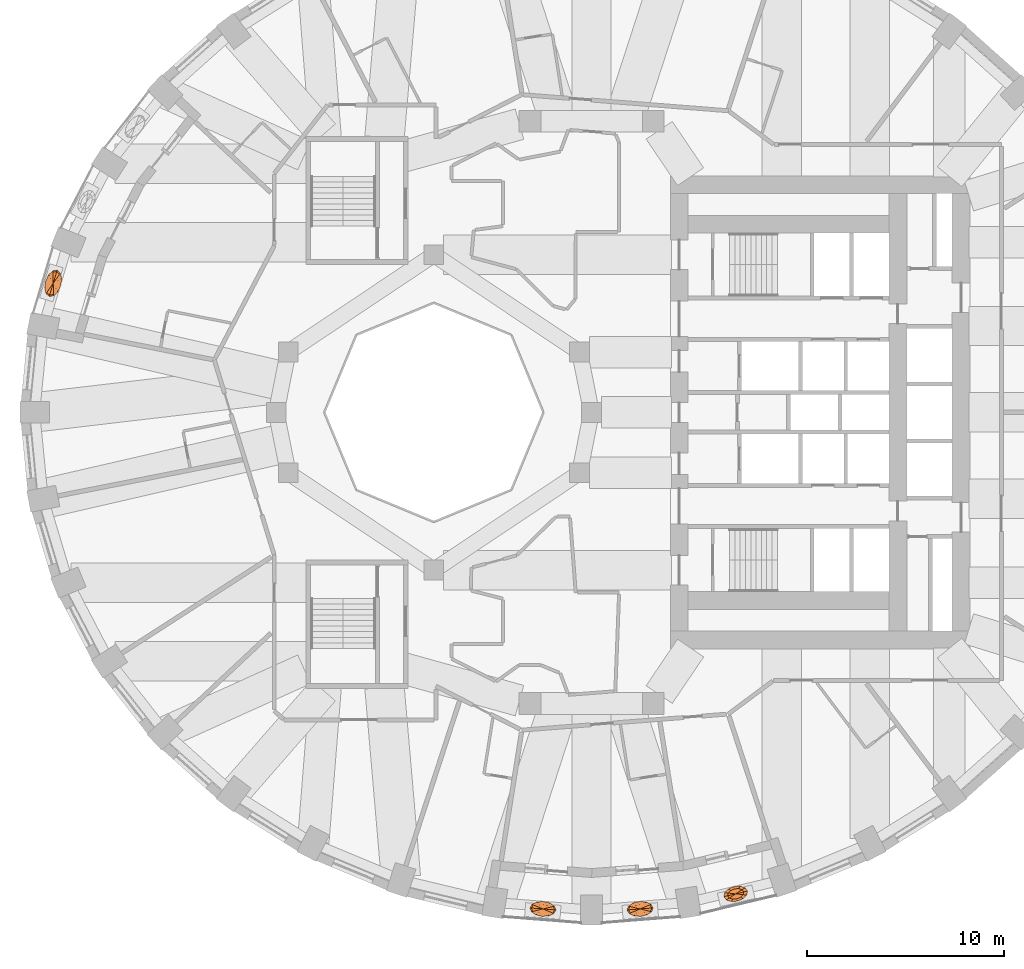
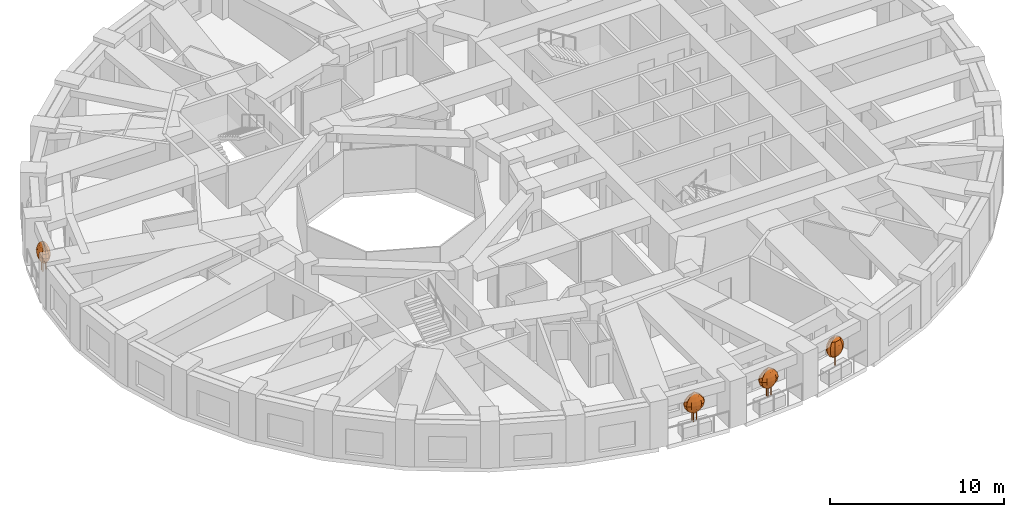
# One storey, part 12 of 13: 4 geographic elements.
"""IFC4 building model written with IfcOpenShell, lengths in metres."""

from ifc_helpers import new_model, si_unit, direction, frame, origin, place, context, subcontext, project, spatial, faceted_brep, material, constituent, constituent_set, type_object, element, save


model = new_model("IFC4")

# Units and contexts
model_context = context("Model", 3, precision=1e-05, world=origin(), true_north=direction((0.0, 1.0)))
body_context = subcontext(model_context, "Body", "Model", "MODEL_VIEW")
ifc_project = project(units=[si_unit("LENGTHUNIT", "METRE"), si_unit("AREAUNIT", "SQUARE_METRE"), si_unit("VOLUMEUNIT", "CUBIC_METRE"), si_unit("PLANEANGLEUNIT", "RADIAN"), si_unit("MASSUNIT", "GRAM", prefix="KILO")], contexts=[model_context])

# Site, building, storey
site_placement = place(None, origin())
site = spatial("IfcSite", under=ifc_project, at=site_placement, CompositionType="ELEMENT")
building_placement = place(site_placement, origin())
building = spatial("IfcBuilding", under=site, at=building_placement, Name="Taillehof Tower", CompositionType="ELEMENT")
storey_placement = place(building_placement, frame((0.0, 0.0, 34.89990234375)))
storey = spatial("IfcBuildingStorey", under=building, at=storey_placement, Name="L08", CompositionType="ELEMENT", Elevation=34.89990234375)

# Geographic elements
ifc_material_1 = material(Name="Tree bark", Category="timber")
ifc_constituent_1 = constituent(ifc_material_1, Name="Trunk", Category="timber")
ifc_material_2 = material(Name="Tree foliage")
ifc_constituent_2 = constituent(ifc_material_2, Name="Crown")
ifc_constituent_set_1 = constituent_set(constituents=[ifc_constituent_1, ifc_constituent_2], Name="Tree TR1 Columnar hornbeam")
geographic_element_type_1 = type_object("IfcGeographicElementType", Name="Tree TR1 Columnar hornbeam", PredefinedType="USERDEFINED", material=ifc_constituent_set_1)
geographic_element_1_placement = place(storey_placement, frame((7.31640625, -24.430419921875, 0.75)))
element("IfcGeographicElement", 1, at=geographic_element_1_placement, inside=storey, type_object=geographic_element_type_1, Name="Tree TR1 Columnar hornbeam", ObjectType="TREE", PredefinedType="USERDEFINED", context=body_context, shape_type="Brep", body=[
    faceted_brep([(0.030029296875, 0.0, 0.0), (0.021240234375, 0.021240234375, 0.0), (0.021240234375, 0.021240234375, 1.092529296875), (0.030029296875, 0.0, 1.092529296875), (0.0, 0.030029296875, 0.0), (0.0, 0.030029296875, 1.092529296875), (-0.021240234375, 0.021240234375, 0.0), (-0.021240234375, 0.021240234375, 1.092529296875), (-0.030029296875, 0.0, 0.0), (-0.030029296875, 0.0, 1.092529296875), (-0.021240234375, -0.021240234375, 0.0), (-0.021240234375, -0.021240234375, 1.092529296875), (0.0, -0.030029296875, 0.0), (0.0, -0.030029296875, 1.092529296875), (0.021240234375, -0.021240234375, 0.0), (0.021240234375, -0.021240234375, 1.092529296875)], [[[0, 1, 2, 3]], [[1, 4, 5, 2]], [[4, 6, 7, 5]], [[6, 8, 9, 7]], [[8, 10, 11, 9]], [[10, 12, 13, 11]], [[12, 14, 15, 13]], [[14, 0, 3, 15]], [[14, 12, 10, 8, 6, 4, 1, 0]], [[3, 2, 5, 7, 9, 11, 13, 15]]]),
    faceted_brep([(0.0, 0.0, 0.550048828125), (0.324951171875, 0.211181640625, 0.808349609375), (0.41015625, 0.09814453125, 0.808349609375), (0.15283203125, 0.267822265625, 0.808349609375), (-0.060546875, 0.25244140625, 0.808349609375), (-0.25732421875, 0.16943359375, 0.808349609375), (-0.385498046875, 0.041015625, 0.808349609375), (-0.41015625, -0.09814453125, 0.808349609375), (-0.324951171875, -0.211181640625, 0.808349609375), (-0.15283203125, -0.267822265625, 0.808349609375), (0.060546875, -0.25244140625, 0.808349609375), (0.25732421875, -0.16943359375, 0.808349609375), (0.385498046875, -0.041015625, 0.808349609375), (0.439697265625, 0.285888671875, 1.066650390625), (0.554931640625, 0.1328125, 1.066650390625), (0.20654296875, 0.362060546875, 1.066650390625), (-0.081787109375, 0.341552734375, 1.066650390625), (-0.34814453125, 0.229248046875, 1.066650390625), (-0.521484375, 0.0556640625, 1.066650390625), (-0.554931640625, -0.1328125, 1.066650390625), (-0.439697265625, -0.285888671875, 1.066650390625), (-0.20654296875, -0.362060546875, 1.066650390625), (0.081787109375, -0.341552734375, 1.066650390625), (0.34814453125, -0.229248046875, 1.066650390625), (0.521484375, -0.0556640625, 1.066650390625), (0.475830078125, 0.309326171875, 1.324951171875), (0.6005859375, 0.143798828125, 1.324951171875), (0.2236328125, 0.391845703125, 1.324951171875), (-0.088623046875, 0.36962890625, 1.324951171875), (-0.376953125, 0.248046875, 1.324951171875), (-0.564208984375, 0.060302734375, 1.324951171875), (-0.6005859375, -0.143798828125, 1.324951171875), (-0.475830078125, -0.309326171875, 1.324951171875), (-0.2236328125, -0.391845703125, 1.324951171875), (0.088623046875, -0.36962890625, 1.324951171875), (0.376953125, -0.248046875, 1.324951171875), (0.564208984375, -0.060302734375, 1.324951171875), (0.439697265625, 0.285888671875, 1.583251953125), (0.554931640625, 0.1328125, 1.583251953125), (0.20654296875, 0.362060546875, 1.583251953125), (-0.081787109375, 0.341552734375, 1.583251953125), (-0.34814453125, 0.229248046875, 1.583251953125), (-0.521484375, 0.0556640625, 1.583251953125), (-0.554931640625, -0.1328125, 1.583251953125), (-0.439697265625, -0.285888671875, 1.583251953125), (-0.20654296875, -0.362060546875, 1.583251953125), (0.081787109375, -0.341552734375, 1.583251953125), (0.34814453125, -0.229248046875, 1.583251953125), (0.521484375, -0.0556640625, 1.583251953125), (0.324951171875, 0.211181640625, 1.841552734375), (0.41015625, 0.09814453125, 1.841552734375), (0.15283203125, 0.267822265625, 1.841552734375), (-0.060546875, 0.25244140625, 1.841552734375), (-0.25732421875, 0.16943359375, 1.841552734375), (-0.385498046875, 0.041015625, 1.841552734375), (-0.41015625, -0.09814453125, 1.841552734375), (-0.324951171875, -0.211181640625, 1.841552734375), (-0.15283203125, -0.267822265625, 1.841552734375), (0.060546875, -0.25244140625, 1.841552734375), (0.25732421875, -0.16943359375, 1.841552734375), (0.385498046875, -0.041015625, 1.841552734375), (0.0, 0.0, 2.10009765625)], [[[0, 1, 2]], [[0, 3, 1]], [[0, 4, 3]], [[0, 5, 4]], [[0, 6, 5]], [[0, 7, 6]], [[0, 8, 7]], [[0, 9, 8]], [[0, 10, 9]], [[0, 11, 10]], [[0, 12, 11]], [[0, 2, 12]], [[2, 1, 13, 14]], [[1, 3, 15, 13]], [[3, 4, 16, 15]], [[4, 5, 17, 16]], [[5, 6, 18, 17]], [[6, 7, 19, 18]], [[7, 8, 20, 19]], [[8, 9, 21, 20]], [[9, 10, 22, 21]], [[10, 11, 23, 22]], [[11, 12, 24, 23]], [[12, 2, 14, 24]], [[14, 13, 25, 26]], [[13, 15, 27, 25]], [[15, 16, 28, 27]], [[16, 17, 29, 28]], [[17, 18, 30, 29]], [[18, 19, 31, 30]], [[19, 20, 32, 31]], [[20, 21, 33, 32]], [[21, 22, 34, 33]], [[22, 23, 35, 34]], [[23, 24, 36, 35]], [[24, 14, 26, 36]], [[26, 25, 37, 38]], [[25, 27, 39, 37]], [[27, 28, 40, 39]], [[28, 29, 41, 40]], [[29, 30, 42, 41]], [[30, 31, 43, 42]], [[31, 32, 44, 43]], [[32, 33, 45, 44]], [[33, 34, 46, 45]], [[34, 35, 47, 46]], [[35, 36, 48, 47]], [[36, 26, 38, 48]], [[38, 37, 49, 50]], [[37, 39, 51, 49]], [[39, 40, 52, 51]], [[40, 41, 53, 52]], [[41, 42, 54, 53]], [[42, 43, 55, 54]], [[43, 44, 56, 55]], [[44, 45, 57, 56]], [[45, 46, 58, 57]], [[46, 47, 59, 58]], [[47, 48, 60, 59]], [[48, 38, 50, 60]], [[50, 49, 61]], [[49, 51, 61]], [[51, 52, 61]], [[52, 53, 61]], [[53, 54, 61]], [[54, 55, 61]], [[55, 56, 61]], [[56, 57, 61]], [[57, 58, 61]], [[58, 59, 61]], [[59, 60, 61]], [[60, 50, 61]]]),
])
ifc_material_3 = material(Name="Tree bark", Category="timber")
ifc_constituent_3 = constituent(ifc_material_3, Name="Trunk", Category="timber")
ifc_material_4 = material(Name="Tree foliage")
ifc_constituent_4 = constituent(ifc_material_4, Name="Crown")
ifc_constituent_set_2 = constituent_set(constituents=[ifc_constituent_3, ifc_constituent_4], Name="Tree TR3 Multi-stem serviceberry")
geographic_element_type_2 = type_object("IfcGeographicElementType", Name="Tree TR3 Multi-stem serviceberry", PredefinedType="USERDEFINED", material=ifc_constituent_set_2)
geographic_element_2_placement = place(storey_placement, frame((-27.314697265625, 6.548583984375, 0.75)))
element("IfcGeographicElement", 2, at=geographic_element_2_placement, inside=storey, type_object=geographic_element_type_2, Name="Tree TR3 Multi-stem serviceberry", ObjectType="TREE", PredefinedType="USERDEFINED", context=body_context, shape_type="Brep", body=[
    faceted_brep([(0.203857421875, 0.0, 0.0), (0.1953125, 0.0205078125, 0.0), (0.1953125, 0.0205078125, 1.04248046875), (0.203857421875, 0.0, 1.04248046875), (0.175048828125, 0.02880859375, 0.0), (0.175048828125, 0.02880859375, 1.04248046875), (0.154541015625, 0.0205078125, 0.0), (0.154541015625, 0.0205078125, 1.04248046875), (0.146240234375, 0.0, 0.0), (0.146240234375, 0.0, 1.04248046875), (0.154541015625, -0.0205078125, 0.0), (0.154541015625, -0.0205078125, 1.04248046875), (0.175048828125, -0.02880859375, 0.0), (0.175048828125, -0.02880859375, 1.04248046875), (0.1953125, -0.0205078125, 0.0), (0.1953125, -0.0205078125, 1.04248046875)], [[[0, 1, 2, 3]], [[1, 4, 5, 2]], [[4, 6, 7, 5]], [[6, 8, 9, 7]], [[8, 10, 11, 9]], [[10, 12, 13, 11]], [[12, 14, 15, 13]], [[14, 0, 3, 15]], [[14, 12, 10, 8, 6, 4, 1, 0]], [[3, 2, 5, 7, 9, 11, 13, 15]]]),
    faceted_brep([(-0.05859375, 0.086669921875, 0.0), (-0.067138671875, 0.10693359375, 0.0), (-0.067138671875, 0.10693359375, 1.04248046875), (-0.05859375, 0.086669921875, 1.04248046875), (-0.08740234375, 0.115478515625, 0.0), (-0.08740234375, 0.115478515625, 1.04248046875), (-0.10791015625, 0.10693359375, 0.0), (-0.10791015625, 0.10693359375, 1.04248046875), (-0.116455078125, 0.086669921875, 0.0), (-0.116455078125, 0.086669921875, 1.04248046875), (-0.10791015625, 0.066162109375, 0.0), (-0.10791015625, 0.066162109375, 1.04248046875), (-0.08740234375, 0.0576171875, 0.0), (-0.08740234375, 0.0576171875, 1.04248046875), (-0.067138671875, 0.066162109375, 0.0), (-0.067138671875, 0.066162109375, 1.04248046875)], [[[0, 1, 2, 3]], [[1, 4, 5, 2]], [[4, 6, 7, 5]], [[6, 8, 9, 7]], [[8, 10, 11, 9]], [[10, 12, 13, 11]], [[12, 14, 15, 13]], [[14, 0, 3, 15]], [[14, 12, 10, 8, 6, 4, 1, 0]], [[3, 2, 5, 7, 9, 11, 13, 15]]]),
    faceted_brep([(-0.05859375, -0.086669921875, 0.0), (-0.067138671875, -0.066162109375, 0.0), (-0.067138671875, -0.066162109375, 1.04248046875), (-0.05859375, -0.086669921875, 1.04248046875), (-0.08740234375, -0.0576171875, 0.0), (-0.08740234375, -0.0576171875, 1.04248046875), (-0.10791015625, -0.066162109375, 0.0), (-0.10791015625, -0.066162109375, 1.04248046875), (-0.116455078125, -0.086669921875, 0.0), (-0.116455078125, -0.086669921875, 1.04248046875), (-0.10791015625, -0.10693359375, 0.0), (-0.10791015625, -0.10693359375, 1.04248046875), (-0.08740234375, -0.115478515625, 0.0), (-0.08740234375, -0.115478515625, 1.04248046875), (-0.067138671875, -0.10693359375, 0.0), (-0.067138671875, -0.10693359375, 1.04248046875)], [[[0, 1, 2, 3]], [[1, 4, 5, 2]], [[4, 6, 7, 5]], [[6, 8, 9, 7]], [[8, 10, 11, 9]], [[10, 12, 13, 11]], [[12, 14, 15, 13]], [[14, 0, 3, 15]], [[14, 12, 10, 8, 6, 4, 1, 0]], [[3, 2, 5, 7, 9, 11, 13, 15]]]),
    faceted_brep([(0.0, 0.0, 0.5), (0.010009765625, -0.366455078125, 0.75830078125), (-0.115478515625, -0.385009765625, 0.75830078125), (0.1328125, -0.249755859375, 0.75830078125), (0.219970703125, -0.06591796875, 0.75830078125), (0.248291015625, 0.135498046875, 0.75830078125), (0.2099609375, 0.300537109375, 0.75830078125), (0.115478515625, 0.385009765625, 0.75830078125), (-0.010009765625, 0.366455078125, 0.75830078125), (-0.1328125, 0.249755859375, 0.75830078125), (-0.219970703125, 0.06591796875, 0.75830078125), (-0.248291015625, -0.135498046875, 0.75830078125), (-0.2099609375, -0.300537109375, 0.75830078125), (0.015625, -0.56884765625, 1.0166015625), (-0.17919921875, -0.59765625, 1.0166015625), (0.206298828125, -0.387451171875, 1.0166015625), (0.341552734375, -0.102294921875, 1.0166015625), (0.38525390625, 0.210205078125, 1.0166015625), (0.325927734375, 0.46630859375, 1.0166015625), (0.17919921875, 0.59765625, 1.0166015625), (-0.015625, 0.56884765625, 1.0166015625), (-0.206298828125, 0.387451171875, 1.0166015625), (-0.341552734375, 0.102294921875, 1.0166015625), (-0.38525390625, -0.210205078125, 1.0166015625), (-0.325927734375, -0.46630859375, 1.0166015625), (0.017578125, -0.63818359375, 1.27490234375), (-0.200927734375, -0.67041015625, 1.27490234375), (0.2314453125, -0.434814453125, 1.27490234375), (0.383056640625, -0.11474609375, 1.27490234375), (0.432373046875, 0.23583984375, 1.27490234375), (0.36572265625, 0.523193359375, 1.27490234375), (0.200927734375, 0.67041015625, 1.27490234375), (-0.017578125, 0.63818359375, 1.27490234375), (-0.2314453125, 0.434814453125, 1.27490234375), (-0.383056640625, 0.11474609375, 1.27490234375), (-0.432373046875, -0.23583984375, 1.27490234375), (-0.36572265625, -0.523193359375, 1.27490234375), (0.015625, -0.56884765625, 1.533447265625), (-0.17919921875, -0.59765625, 1.533447265625), (0.206298828125, -0.387451171875, 1.533447265625), (0.341552734375, -0.102294921875, 1.533447265625), (0.38525390625, 0.210205078125, 1.533447265625), (0.325927734375, 0.46630859375, 1.533447265625), (0.17919921875, 0.59765625, 1.533447265625), (-0.015625, 0.56884765625, 1.533447265625), (-0.206298828125, 0.387451171875, 1.533447265625), (-0.341552734375, 0.102294921875, 1.533447265625), (-0.38525390625, -0.210205078125, 1.533447265625), (-0.325927734375, -0.46630859375, 1.533447265625), (0.010009765625, -0.366455078125, 1.791748046875), (-0.115478515625, -0.385009765625, 1.791748046875), (0.1328125, -0.249755859375, 1.791748046875), (0.219970703125, -0.06591796875, 1.791748046875), (0.248291015625, 0.135498046875, 1.791748046875), (0.2099609375, 0.300537109375, 1.791748046875), (0.115478515625, 0.385009765625, 1.791748046875), (-0.010009765625, 0.366455078125, 1.791748046875), (-0.1328125, 0.249755859375, 1.791748046875), (-0.219970703125, 0.06591796875, 1.791748046875), (-0.248291015625, -0.135498046875, 1.791748046875), (-0.2099609375, -0.300537109375, 1.791748046875), (0.0, 0.0, 2.050048828125)], [[[0, 1, 2]], [[0, 3, 1]], [[0, 4, 3]], [[0, 5, 4]], [[0, 6, 5]], [[0, 7, 6]], [[0, 8, 7]], [[0, 9, 8]], [[0, 10, 9]], [[0, 11, 10]], [[0, 12, 11]], [[0, 2, 12]], [[2, 1, 13, 14]], [[1, 3, 15, 13]], [[3, 4, 16, 15]], [[4, 5, 17, 16]], [[5, 6, 18, 17]], [[6, 7, 19, 18]], [[7, 8, 20, 19]], [[8, 9, 21, 20]], [[9, 10, 22, 21]], [[10, 11, 23, 22]], [[11, 12, 24, 23]], [[12, 2, 14, 24]], [[14, 13, 25, 26]], [[13, 15, 27, 25]], [[15, 16, 28, 27]], [[16, 17, 29, 28]], [[17, 18, 30, 29]], [[18, 19, 31, 30]], [[19, 20, 32, 31]], [[20, 21, 33, 32]], [[21, 22, 34, 33]], [[22, 23, 35, 34]], [[23, 24, 36, 35]], [[24, 14, 26, 36]], [[26, 25, 37, 38]], [[25, 27, 39, 37]], [[27, 28, 40, 39]], [[28, 29, 41, 40]], [[29, 30, 42, 41]], [[30, 31, 43, 42]], [[31, 32, 44, 43]], [[32, 33, 45, 44]], [[33, 34, 46, 45]], [[34, 35, 47, 46]], [[35, 36, 48, 47]], [[36, 26, 38, 48]], [[38, 37, 49, 50]], [[37, 39, 51, 49]], [[39, 40, 52, 51]], [[40, 41, 53, 52]], [[41, 42, 54, 53]], [[42, 43, 55, 54]], [[43, 44, 56, 55]], [[44, 45, 57, 56]], [[45, 46, 58, 57]], [[46, 47, 59, 58]], [[47, 48, 60, 59]], [[48, 38, 50, 60]], [[50, 49, 61]], [[49, 51, 61]], [[51, 52, 61]], [[52, 53, 61]], [[53, 54, 61]], [[54, 55, 61]], [[55, 56, 61]], [[56, 57, 61]], [[57, 58, 61]], [[58, 59, 61]], [[59, 60, 61]], [[60, 50, 61]]]),
])
geographic_element_3_placement = place(storey_placement, frame((-2.463623046875, -25.195556640625, 0.75)))
element("IfcGeographicElement", 3, at=geographic_element_3_placement, inside=storey, type_object=geographic_element_type_2, Name="Tree TR3 Multi-stem serviceberry", ObjectType="TREE", PredefinedType="USERDEFINED", context=body_context, shape_type="Brep", body=[
    faceted_brep([(0.195068359375, 0.0, 0.0), (0.186767578125, 0.0205078125, 0.0), (0.186767578125, 0.0205078125, 1.04248046875), (0.195068359375, 0.0, 1.04248046875), (0.166259765625, 0.02880859375, 0.0), (0.166259765625, 0.02880859375, 1.04248046875), (0.145751953125, 0.0205078125, 0.0), (0.145751953125, 0.0205078125, 1.04248046875), (0.137451171875, 0.0, 0.0), (0.137451171875, 0.0, 1.04248046875), (0.145751953125, -0.0205078125, 0.0), (0.145751953125, -0.0205078125, 1.04248046875), (0.166259765625, -0.02880859375, 0.0), (0.166259765625, -0.02880859375, 1.04248046875), (0.186767578125, -0.0205078125, 0.0), (0.186767578125, -0.0205078125, 1.04248046875)], [[[0, 1, 2, 3]], [[1, 4, 5, 2]], [[4, 6, 7, 5]], [[6, 8, 9, 7]], [[8, 10, 11, 9]], [[10, 12, 13, 11]], [[12, 14, 15, 13]], [[14, 0, 3, 15]], [[14, 12, 10, 8, 6, 4, 1, 0]], [[3, 2, 5, 7, 9, 11, 13, 15]]]),
    faceted_brep([(-0.05419921875, 0.082275390625, 0.0), (-0.062744140625, 0.102783203125, 0.0), (-0.062744140625, 0.102783203125, 1.04248046875), (-0.05419921875, 0.082275390625, 1.04248046875), (-0.0830078125, 0.111083984375, 0.0), (-0.0830078125, 0.111083984375, 1.04248046875), (-0.103515625, 0.102783203125, 0.0), (-0.103515625, 0.102783203125, 1.04248046875), (-0.112060546875, 0.082275390625, 0.0), (-0.112060546875, 0.082275390625, 1.04248046875), (-0.103515625, 0.061767578125, 0.0), (-0.103515625, 0.061767578125, 1.04248046875), (-0.0830078125, 0.053466796875, 0.0), (-0.0830078125, 0.053466796875, 1.04248046875), (-0.062744140625, 0.061767578125, 0.0), (-0.062744140625, 0.061767578125, 1.04248046875)], [[[0, 1, 2, 3]], [[1, 4, 5, 2]], [[4, 6, 7, 5]], [[6, 8, 9, 7]], [[8, 10, 11, 9]], [[10, 12, 13, 11]], [[12, 14, 15, 13]], [[14, 0, 3, 15]], [[14, 12, 10, 8, 6, 4, 1, 0]], [[3, 2, 5, 7, 9, 11, 13, 15]]]),
    faceted_brep([(-0.05419921875, -0.082275390625, 0.0), (-0.062744140625, -0.061767578125, 0.0), (-0.062744140625, -0.061767578125, 1.04248046875), (-0.05419921875, -0.082275390625, 1.04248046875), (-0.0830078125, -0.053466796875, 0.0), (-0.0830078125, -0.053466796875, 1.04248046875), (-0.103515625, -0.061767578125, 0.0), (-0.103515625, -0.061767578125, 1.04248046875), (-0.112060546875, -0.082275390625, 0.0), (-0.112060546875, -0.082275390625, 1.04248046875), (-0.103515625, -0.102783203125, 0.0), (-0.103515625, -0.102783203125, 1.04248046875), (-0.0830078125, -0.111083984375, 0.0), (-0.0830078125, -0.111083984375, 1.04248046875), (-0.062744140625, -0.102783203125, 0.0), (-0.062744140625, -0.102783203125, 1.04248046875)], [[[0, 1, 2, 3]], [[1, 4, 5, 2]], [[4, 6, 7, 5]], [[6, 8, 9, 7]], [[8, 10, 11, 9]], [[10, 12, 13, 11]], [[12, 14, 15, 13]], [[14, 0, 3, 15]], [[14, 12, 10, 8, 6, 4, 1, 0]], [[3, 2, 5, 7, 9, 11, 13, 15]]]),
    faceted_brep([(0.0, 0.0, 0.5), (0.33837890625, 0.0830078125, 0.75830078125), (0.380859375, -0.02978515625, 0.75830078125), (0.205078125, 0.173583984375, 0.75830078125), (0.01708984375, 0.217529296875, 0.75830078125), (-0.175537109375, 0.203369140625, 0.75830078125), (-0.3212890625, 0.134521484375, 0.75830078125), (-0.380859375, 0.02978515625, 0.75830078125), (-0.33837890625, -0.0830078125, 0.75830078125), (-0.205078125, -0.173583984375, 0.75830078125), (-0.01708984375, -0.217529296875, 0.75830078125), (0.175537109375, -0.203369140625, 0.75830078125), (0.3212890625, -0.134521484375, 0.75830078125), (0.52490234375, 0.12890625, 1.0166015625), (0.5908203125, -0.046142578125, 1.0166015625), (0.318359375, 0.269287109375, 1.0166015625), (0.0263671875, 0.337646484375, 1.0166015625), (-0.272705078125, 0.3154296875, 1.0166015625), (-0.49853515625, 0.208740234375, 1.0166015625), (-0.5908203125, 0.046142578125, 1.0166015625), (-0.52490234375, -0.12890625, 1.0166015625), (-0.318359375, -0.269287109375, 1.0166015625), (-0.0263671875, -0.337646484375, 1.0166015625), (0.272705078125, -0.3154296875, 1.0166015625), (0.49853515625, -0.208740234375, 1.0166015625), (0.5888671875, 0.14453125, 1.27490234375), (0.6630859375, -0.0517578125, 1.27490234375), (0.357177734375, 0.30224609375, 1.27490234375), (0.029541015625, 0.37890625, 1.27490234375), (-0.305908203125, 0.35400390625, 1.27490234375), (-0.559326171875, 0.234375, 1.27490234375), (-0.6630859375, 0.0517578125, 1.27490234375), (-0.5888671875, -0.14453125, 1.27490234375), (-0.357177734375, -0.30224609375, 1.27490234375), (-0.029541015625, -0.37890625, 1.27490234375), (0.305908203125, -0.35400390625, 1.27490234375), (0.559326171875, -0.234375, 1.27490234375), (0.52490234375, 0.12890625, 1.533447265625), (0.5908203125, -0.046142578125, 1.533447265625), (0.318359375, 0.269287109375, 1.533447265625), (0.0263671875, 0.337646484375, 1.533447265625), (-0.272705078125, 0.3154296875, 1.533447265625), (-0.49853515625, 0.208740234375, 1.533447265625), (-0.5908203125, 0.046142578125, 1.533447265625), (-0.52490234375, -0.12890625, 1.533447265625), (-0.318359375, -0.269287109375, 1.533447265625), (-0.0263671875, -0.337646484375, 1.533447265625), (0.272705078125, -0.3154296875, 1.533447265625), (0.49853515625, -0.208740234375, 1.533447265625), (0.33837890625, 0.0830078125, 1.791748046875), (0.380859375, -0.02978515625, 1.791748046875), (0.205078125, 0.173583984375, 1.791748046875), (0.01708984375, 0.217529296875, 1.791748046875), (-0.175537109375, 0.203369140625, 1.791748046875), (-0.3212890625, 0.134521484375, 1.791748046875), (-0.380859375, 0.02978515625, 1.791748046875), (-0.33837890625, -0.0830078125, 1.791748046875), (-0.205078125, -0.173583984375, 1.791748046875), (-0.01708984375, -0.217529296875, 1.791748046875), (0.175537109375, -0.203369140625, 1.791748046875), (0.3212890625, -0.134521484375, 1.791748046875), (0.0, 0.0, 2.050048828125)], [[[0, 1, 2]], [[0, 3, 1]], [[0, 4, 3]], [[0, 5, 4]], [[0, 6, 5]], [[0, 7, 6]], [[0, 8, 7]], [[0, 9, 8]], [[0, 10, 9]], [[0, 11, 10]], [[0, 12, 11]], [[0, 2, 12]], [[2, 1, 13, 14]], [[1, 3, 15, 13]], [[3, 4, 16, 15]], [[4, 5, 17, 16]], [[5, 6, 18, 17]], [[6, 7, 19, 18]], [[7, 8, 20, 19]], [[8, 9, 21, 20]], [[9, 10, 22, 21]], [[10, 11, 23, 22]], [[11, 12, 24, 23]], [[12, 2, 14, 24]], [[14, 13, 25, 26]], [[13, 15, 27, 25]], [[15, 16, 28, 27]], [[16, 17, 29, 28]], [[17, 18, 30, 29]], [[18, 19, 31, 30]], [[19, 20, 32, 31]], [[20, 21, 33, 32]], [[21, 22, 34, 33]], [[22, 23, 35, 34]], [[23, 24, 36, 35]], [[24, 14, 26, 36]], [[26, 25, 37, 38]], [[25, 27, 39, 37]], [[27, 28, 40, 39]], [[28, 29, 41, 40]], [[29, 30, 42, 41]], [[30, 31, 43, 42]], [[31, 32, 44, 43]], [[32, 33, 45, 44]], [[33, 34, 46, 45]], [[34, 35, 47, 46]], [[35, 36, 48, 47]], [[36, 26, 38, 48]], [[38, 37, 49, 50]], [[37, 39, 51, 49]], [[39, 40, 52, 51]], [[40, 41, 53, 52]], [[41, 42, 54, 53]], [[42, 43, 55, 54]], [[43, 44, 56, 55]], [[44, 45, 57, 56]], [[45, 46, 58, 57]], [[46, 47, 59, 58]], [[47, 48, 60, 59]], [[48, 38, 50, 60]], [[50, 49, 61]], [[49, 51, 61]], [[51, 52, 61]], [[52, 53, 61]], [[53, 54, 61]], [[54, 55, 61]], [[55, 56, 61]], [[56, 57, 61]], [[57, 58, 61]], [[58, 59, 61]], [[59, 60, 61]], [[60, 50, 61]]]),
])
geographic_element_4_placement = place(storey_placement, frame((2.463623046875, -25.195556640625, 0.75)))
element("IfcGeographicElement", 4, at=geographic_element_4_placement, inside=storey, type_object=geographic_element_type_2, Name="Tree TR3 Multi-stem serviceberry", ObjectType="TREE", PredefinedType="USERDEFINED", context=body_context, shape_type="Brep", body=[
    faceted_brep([(0.195068359375, 0.0, 0.0), (0.186767578125, 0.0205078125, 0.0), (0.186767578125, 0.0205078125, 1.04248046875), (0.195068359375, 0.0, 1.04248046875), (0.166259765625, 0.02880859375, 0.0), (0.166259765625, 0.02880859375, 1.04248046875), (0.145751953125, 0.0205078125, 0.0), (0.145751953125, 0.0205078125, 1.04248046875), (0.137451171875, 0.0, 0.0), (0.137451171875, 0.0, 1.04248046875), (0.145751953125, -0.0205078125, 0.0), (0.145751953125, -0.0205078125, 1.04248046875), (0.166259765625, -0.02880859375, 0.0), (0.166259765625, -0.02880859375, 1.04248046875), (0.186767578125, -0.0205078125, 0.0), (0.186767578125, -0.0205078125, 1.04248046875)], [[[0, 1, 2, 3]], [[1, 4, 5, 2]], [[4, 6, 7, 5]], [[6, 8, 9, 7]], [[8, 10, 11, 9]], [[10, 12, 13, 11]], [[12, 14, 15, 13]], [[14, 0, 3, 15]], [[14, 12, 10, 8, 6, 4, 1, 0]], [[3, 2, 5, 7, 9, 11, 13, 15]]]),
    faceted_brep([(-0.05419921875, 0.082275390625, 0.0), (-0.062744140625, 0.102783203125, 0.0), (-0.062744140625, 0.102783203125, 1.04248046875), (-0.05419921875, 0.082275390625, 1.04248046875), (-0.0830078125, 0.111083984375, 0.0), (-0.0830078125, 0.111083984375, 1.04248046875), (-0.103515625, 0.102783203125, 0.0), (-0.103515625, 0.102783203125, 1.04248046875), (-0.112060546875, 0.082275390625, 0.0), (-0.112060546875, 0.082275390625, 1.04248046875), (-0.103515625, 0.061767578125, 0.0), (-0.103515625, 0.061767578125, 1.04248046875), (-0.0830078125, 0.053466796875, 0.0), (-0.0830078125, 0.053466796875, 1.04248046875), (-0.062744140625, 0.061767578125, 0.0), (-0.062744140625, 0.061767578125, 1.04248046875)], [[[0, 1, 2, 3]], [[1, 4, 5, 2]], [[4, 6, 7, 5]], [[6, 8, 9, 7]], [[8, 10, 11, 9]], [[10, 12, 13, 11]], [[12, 14, 15, 13]], [[14, 0, 3, 15]], [[14, 12, 10, 8, 6, 4, 1, 0]], [[3, 2, 5, 7, 9, 11, 13, 15]]]),
    faceted_brep([(-0.05419921875, -0.082275390625, 0.0), (-0.062744140625, -0.061767578125, 0.0), (-0.062744140625, -0.061767578125, 1.04248046875), (-0.05419921875, -0.082275390625, 1.04248046875), (-0.0830078125, -0.053466796875, 0.0), (-0.0830078125, -0.053466796875, 1.04248046875), (-0.103515625, -0.061767578125, 0.0), (-0.103515625, -0.061767578125, 1.04248046875), (-0.112060546875, -0.082275390625, 0.0), (-0.112060546875, -0.082275390625, 1.04248046875), (-0.103515625, -0.102783203125, 0.0), (-0.103515625, -0.102783203125, 1.04248046875), (-0.0830078125, -0.111083984375, 0.0), (-0.0830078125, -0.111083984375, 1.04248046875), (-0.062744140625, -0.102783203125, 0.0), (-0.062744140625, -0.102783203125, 1.04248046875)], [[[0, 1, 2, 3]], [[1, 4, 5, 2]], [[4, 6, 7, 5]], [[6, 8, 9, 7]], [[8, 10, 11, 9]], [[10, 12, 13, 11]], [[12, 14, 15, 13]], [[14, 0, 3, 15]], [[14, 12, 10, 8, 6, 4, 1, 0]], [[3, 2, 5, 7, 9, 11, 13, 15]]]),
    faceted_brep([(0.0, 0.0, 0.5), (0.3212890625, 0.134521484375, 0.75830078125), (0.380859375, 0.02978515625, 0.75830078125), (0.175537109375, 0.203369140625, 0.75830078125), (-0.01708984375, 0.217529296875, 0.75830078125), (-0.205078125, 0.173583984375, 0.75830078125), (-0.33837890625, 0.0830078125, 0.75830078125), (-0.380859375, -0.02978515625, 0.75830078125), (-0.3212890625, -0.134521484375, 0.75830078125), (-0.175537109375, -0.203369140625, 0.75830078125), (0.01708984375, -0.217529296875, 0.75830078125), (0.205078125, -0.173583984375, 0.75830078125), (0.33837890625, -0.0830078125, 0.75830078125), (0.49853515625, 0.208740234375, 1.0166015625), (0.5908203125, 0.046142578125, 1.0166015625), (0.272705078125, 0.3154296875, 1.0166015625), (-0.0263671875, 0.337646484375, 1.0166015625), (-0.318359375, 0.269287109375, 1.0166015625), (-0.52490234375, 0.12890625, 1.0166015625), (-0.5908203125, -0.046142578125, 1.0166015625), (-0.49853515625, -0.208740234375, 1.0166015625), (-0.272705078125, -0.3154296875, 1.0166015625), (0.0263671875, -0.337646484375, 1.0166015625), (0.318359375, -0.269287109375, 1.0166015625), (0.52490234375, -0.12890625, 1.0166015625), (0.559326171875, 0.234375, 1.27490234375), (0.6630859375, 0.0517578125, 1.27490234375), (0.305908203125, 0.35400390625, 1.27490234375), (-0.029541015625, 0.37890625, 1.27490234375), (-0.357177734375, 0.30224609375, 1.27490234375), (-0.5888671875, 0.14453125, 1.27490234375), (-0.6630859375, -0.0517578125, 1.27490234375), (-0.559326171875, -0.234375, 1.27490234375), (-0.305908203125, -0.35400390625, 1.27490234375), (0.029541015625, -0.37890625, 1.27490234375), (0.357177734375, -0.30224609375, 1.27490234375), (0.5888671875, -0.14453125, 1.27490234375), (0.49853515625, 0.208740234375, 1.533447265625), (0.5908203125, 0.046142578125, 1.533447265625), (0.272705078125, 0.3154296875, 1.533447265625), (-0.0263671875, 0.337646484375, 1.533447265625), (-0.318359375, 0.269287109375, 1.533447265625), (-0.52490234375, 0.12890625, 1.533447265625), (-0.5908203125, -0.046142578125, 1.533447265625), (-0.49853515625, -0.208740234375, 1.533447265625), (-0.272705078125, -0.3154296875, 1.533447265625), (0.0263671875, -0.337646484375, 1.533447265625), (0.318359375, -0.269287109375, 1.533447265625), (0.52490234375, -0.12890625, 1.533447265625), (0.3212890625, 0.134521484375, 1.791748046875), (0.380859375, 0.02978515625, 1.791748046875), (0.175537109375, 0.203369140625, 1.791748046875), (-0.01708984375, 0.217529296875, 1.791748046875), (-0.205078125, 0.173583984375, 1.791748046875), (-0.33837890625, 0.0830078125, 1.791748046875), (-0.380859375, -0.02978515625, 1.791748046875), (-0.3212890625, -0.134521484375, 1.791748046875), (-0.175537109375, -0.203369140625, 1.791748046875), (0.01708984375, -0.217529296875, 1.791748046875), (0.205078125, -0.173583984375, 1.791748046875), (0.33837890625, -0.0830078125, 1.791748046875), (0.0, 0.0, 2.050048828125)], [[[0, 1, 2]], [[0, 3, 1]], [[0, 4, 3]], [[0, 5, 4]], [[0, 6, 5]], [[0, 7, 6]], [[0, 8, 7]], [[0, 9, 8]], [[0, 10, 9]], [[0, 11, 10]], [[0, 12, 11]], [[0, 2, 12]], [[2, 1, 13, 14]], [[1, 3, 15, 13]], [[3, 4, 16, 15]], [[4, 5, 17, 16]], [[5, 6, 18, 17]], [[6, 7, 19, 18]], [[7, 8, 20, 19]], [[8, 9, 21, 20]], [[9, 10, 22, 21]], [[10, 11, 23, 22]], [[11, 12, 24, 23]], [[12, 2, 14, 24]], [[14, 13, 25, 26]], [[13, 15, 27, 25]], [[15, 16, 28, 27]], [[16, 17, 29, 28]], [[17, 18, 30, 29]], [[18, 19, 31, 30]], [[19, 20, 32, 31]], [[20, 21, 33, 32]], [[21, 22, 34, 33]], [[22, 23, 35, 34]], [[23, 24, 36, 35]], [[24, 14, 26, 36]], [[26, 25, 37, 38]], [[25, 27, 39, 37]], [[27, 28, 40, 39]], [[28, 29, 41, 40]], [[29, 30, 42, 41]], [[30, 31, 43, 42]], [[31, 32, 44, 43]], [[32, 33, 45, 44]], [[33, 34, 46, 45]], [[34, 35, 47, 46]], [[35, 36, 48, 47]], [[36, 26, 38, 48]], [[38, 37, 49, 50]], [[37, 39, 51, 49]], [[39, 40, 52, 51]], [[40, 41, 53, 52]], [[41, 42, 54, 53]], [[42, 43, 55, 54]], [[43, 44, 56, 55]], [[44, 45, 57, 56]], [[45, 46, 58, 57]], [[46, 47, 59, 58]], [[47, 48, 60, 59]], [[48, 38, 50, 60]], [[50, 49, 61]], [[49, 51, 61]], [[51, 52, 61]], [[52, 53, 61]], [[53, 54, 61]], [[54, 55, 61]], [[55, 56, 61]], [[56, 57, 61]], [[57, 58, 61]], [[58, 59, 61]], [[59, 60, 61]], [[60, 50, 61]]]),
])

save(model, "model.ifc")
